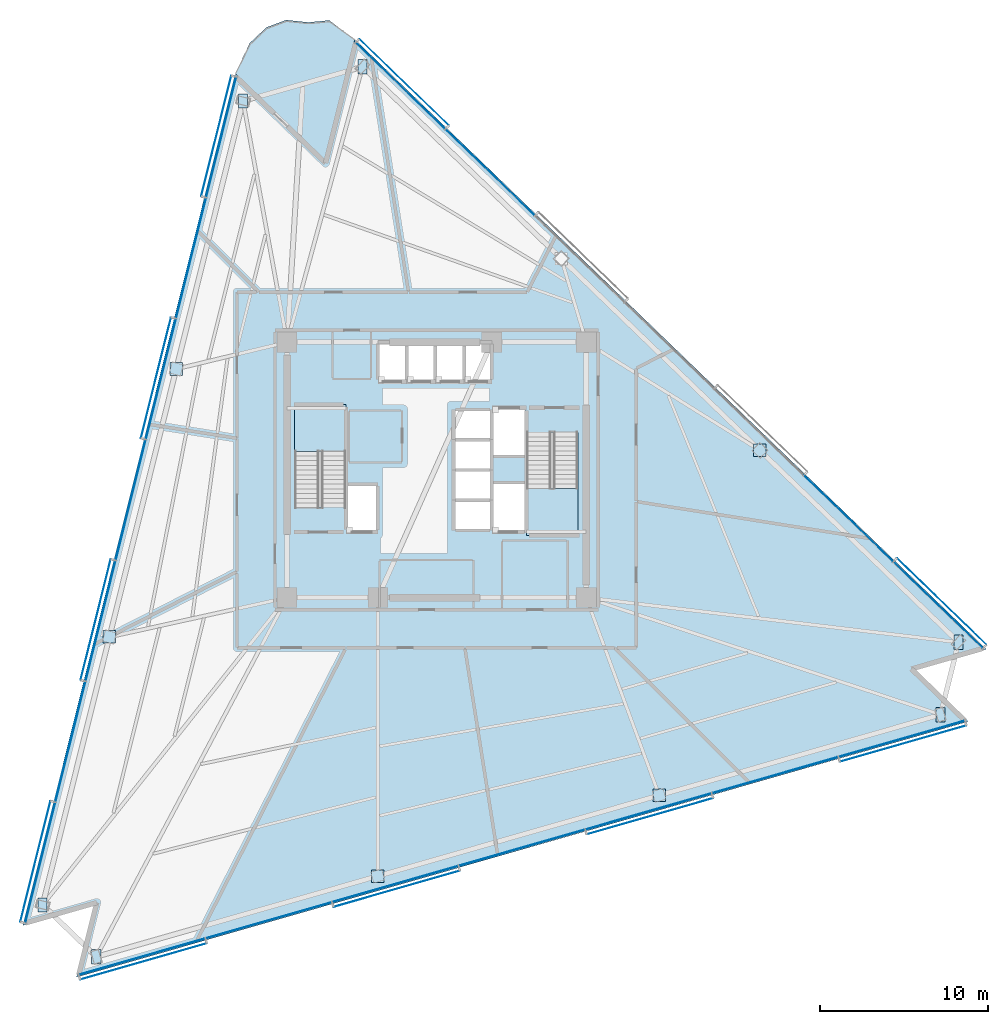
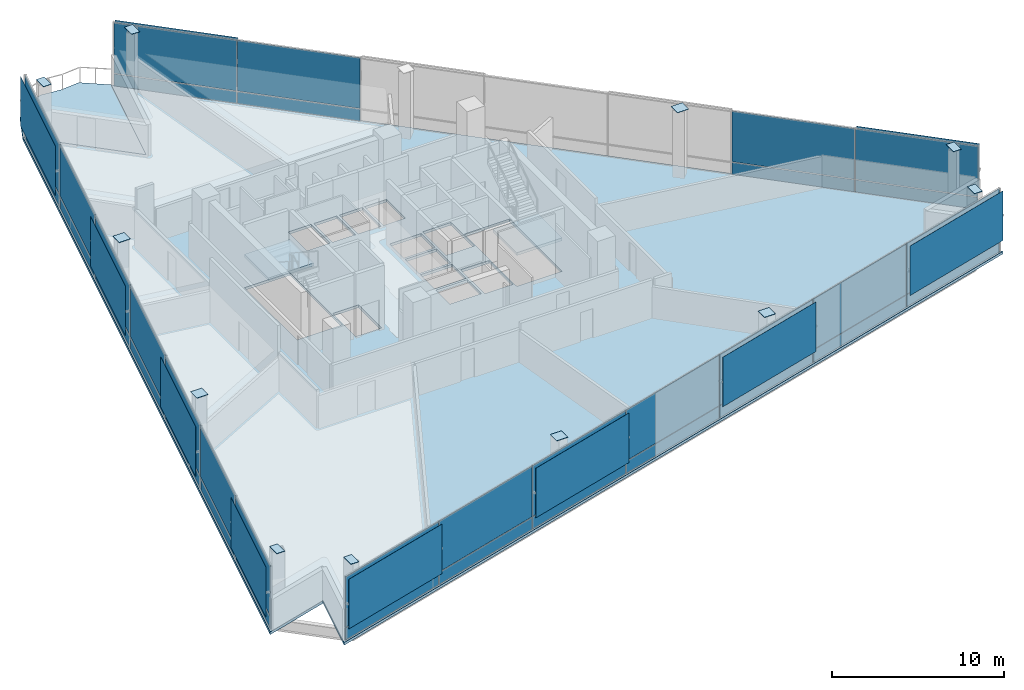
# One storey, part 8 of 18: 57 plates, 4 slabs, 5 elements without a shape of their own.
"""IFC4 building model written with IfcOpenShell, lengths in metres."""

from ifc_helpers import new_model, si_unit, direction, frame, origin, origin_2d, place, context, subcontext, project, spatial, polyline, rectangle, outline, extrude, material, layer, layer_set, type_object, element, aggregate, save


model = new_model("IFC4")

# Units and contexts
model_context = context("Model", 3, precision=1e-05, world=origin(), true_north=direction((0.0, 1.0)))
body_context = subcontext(model_context, "Body", "Model", "MODEL_VIEW")
ifc_project = project(units=[si_unit("LENGTHUNIT", "METRE"), si_unit("AREAUNIT", "SQUARE_METRE"), si_unit("VOLUMEUNIT", "CUBIC_METRE"), si_unit("PLANEANGLEUNIT", "RADIAN"), si_unit("MASSUNIT", "GRAM", prefix="KILO")], contexts=[model_context])

# Site, building, storey
site_placement = place(None, origin())
site = spatial("IfcSite", under=ifc_project, at=site_placement, CompositionType="ELEMENT")
building_placement = place(site_placement, origin())
building = spatial("IfcBuilding", under=site, at=building_placement, Name="Tharavind Bronze Gate", CompositionType="ELEMENT")
storey_placement = place(building_placement, frame((0.0, 0.0, 107.699951171875)))
storey = spatial("IfcBuildingStorey", under=building, at=storey_placement, Name="L27", CompositionType="ELEMENT", Elevation=107.699951171875)

# Plates
ifc_material_1 = material(Name="Perforated Bronze Alloy", Category="bronze")
ifc_layer_1 = layer(ifc_material_1, 0.011962890625)
ifc_layer_set_1 = layer_set([ifc_layer_1], Name="Perforated Bronze Alloy")
plate_type_1 = type_object("IfcPlateType", Name="BRONZE PERFORATED SOLAR SCREEN", PredefinedType="USERDEFINED", material=ifc_layer_set_1)
for number, where, z_axis, x_axis, name in (
    (1, (-13.11669921875, 19.86865234375, 0.96630859375), (0.0, 0.0, 1.0), (-0.2419218956, -0.970295726276, 0.0), "CW-L27-S1 perforated bronze solar screen 1"),
    (2, (-16.7041015625, 5.480712890625, 0.96630859375), (0.0, 0.0, 1.0), (-0.2419218956, -0.970295726276, 0.0), "CW-L27-S1 perforated bronze solar screen 3"),
    (3, (-20.29150390625, -8.9072265625, 0.96630859375), (0.0, 0.0, 1.0), (-0.2419218956, -0.970295726276, 0.0), "CW-L27-S1 perforated bronze solar screen 5"),
    (4, (-23.878662109375, -23.295166015625, 0.96630859375), (0.0, 0.0, 1.0), (-0.2419218956, -0.970295726276, 0.0), "CW-L27-S1 perforated bronze solar screen 7"),
):
    element("IfcPlate", number, at=place(storey_placement, frame(where, z_axis=z_axis, x_axis=x_axis)), inside=storey, type_object=plate_type_1, Name=name, ObjectType="SCREEN", PredefinedType="USERDEFINED", context=body_context, shape_type="SweptSolid", body=[
        extrude(rectangle(XDim=7.394287109375, YDim=0.011962890625, at=origin_2d()), origin(), (0.0, 0.0, 1.0), 3.527099609375),
    ])
for number, where, z_axis, x_axis, name in (
    (5, (-17.447509765625, -29.251220703125, 0.96630859375), (0.0, 0.0, 1.0), (0.961261695938, 0.275637355817, 0.0), "CW-L27-S2 perforated bronze solar screen 1"),
    (6, (-2.380615234375, -24.930908203125, 0.96630859375), (0.0, 0.0, 1.0), (0.961261695938, 0.275637355817, 0.0), "CW-L27-S2 perforated bronze solar screen 3"),
    (7, (12.686279296875, -20.610595703125, 0.96630859375), (0.0, 0.0, 1.0), (0.961261695938, 0.275637355817, 0.0), "CW-L27-S2 perforated bronze solar screen 5"),
    (8, (27.75341796875, -16.290283203125, 0.96630859375), (0.0, 0.0, 1.0), (0.961261695938, 0.275637355817, 0.0), "CW-L27-S2 perforated bronze solar screen 7"),
):
    element("IfcPlate", number, at=place(storey_placement, frame(where, z_axis=z_axis, x_axis=x_axis)), inside=storey, type_object=plate_type_1, Name=name, ObjectType="SCREEN", PredefinedType="USERDEFINED", context=body_context, shape_type="SweptSolid", body=[
        extrude(rectangle(XDim=7.817138671875, YDim=0.011962890625, at=origin_2d()), origin(), (0.0, 0.0, 1.0), 3.527099609375),
    ])
for number, where, z_axis, x_axis, name in (
    (9, (30.05126953125, -7.8310546875, 0.96630859375), (0.0, 0.0, 1.0), (-0.719341012745, 0.694657114973, 0.0), "CW-L27-S3 perforated bronze solar screen 1"),
    (10, (-1.94873046875, 23.07080078125, 0.96630859375), (0.0, 0.0, 1.0), (-0.719341012745, 0.694657114973, 0.0), "CW-L27-S3 perforated bronze solar screen 7"),
):
    element("IfcPlate", number, at=place(storey_placement, frame(where, z_axis=z_axis, x_axis=x_axis)), inside=storey, type_object=plate_type_1, Name=name, ObjectType="SCREEN", PredefinedType="USERDEFINED", context=body_context, shape_type="SweptSolid", body=[
        extrude(rectangle(XDim=7.394287109375, YDim=0.011962890625, at=origin_2d()), origin(), (0.0, 0.0, 1.0), 3.527099609375),
    ])

# Curtain wall, plates
ifc_material_2 = material(Name="Anodised Bronze Aluminium", Category="aluminium")
ifc_layer_2 = layer(ifc_material_2, 0.219970703125)
ifc_layer_set_2 = layer_set([ifc_layer_2], Name="Anodised Bronze Aluminium")
curtain_wall_type = type_object("IfcCurtainWallType", Name="UNITISED CURTAIN WALL LOWER OFFICE", PredefinedType="USERDEFINED", material=ifc_layer_set_2)
curtain_wall_1_placement = place(storey_placement, origin())
curtain_wall_1 = element("IfcCurtainWall", 11, at=curtain_wall_1_placement, inside=storey, type_object=curtain_wall_type, Name="L27 unitised curtain wall lower office CW-L27-S1", ObjectType="UNITISED CURTAIN WALL", PredefinedType="USERDEFINED")
ifc_material_3 = material(Name="Patinated Bronze Alloy Sheet", Category="bronze")
ifc_layer_3 = layer(ifc_material_3, 0.01611328125)
ifc_layer_set_3 = layer_set([ifc_layer_3], Name="Patinated Bronze Alloy Sheet")
plate_type_2 = type_object("IfcPlateType", Name="BRONZE SPANDREL CLADDING PANEL 16", PredefinedType="CURTAIN_PANEL", material=ifc_layer_set_3)
plate_1_placement = place(storey_placement, frame((-12.83056640625, 19.797119140625, 0.0263671875), z_axis=(0.0, 0.0, 1.0), x_axis=(-0.2419218956, -0.970295726276, 0.0)))
plate_1 = element("IfcPlate", 12, at=plate_1_placement, type_object=plate_type_2, Name="CW-L27-S1 bronze spandrel panel 1", PredefinedType="CURTAIN_PANEL", context=body_context, shape_type="SweptSolid", body=[
    extrude(rectangle(XDim=7.361083984375, YDim=0.01611328125, at=origin_2d()), origin(), (0.0, 0.0, 1.0), 0.846923828125),
])
plate_2_placement = place(storey_placement, frame((-14.624267578125, 12.603271484375, 0.0263671875), z_axis=(0.0, 0.0, 1.0), x_axis=(-0.2419218956, -0.970295726276, 0.0)))
plate_2 = element("IfcPlate", 13, at=plate_2_placement, type_object=plate_type_2, Name="CW-L27-S1 bronze spandrel panel 2", PredefinedType="CURTAIN_PANEL", context=body_context, shape_type="SweptSolid", body=[
    extrude(rectangle(XDim=7.361083984375, YDim=0.01611328125, at=origin_2d()), origin(), (0.0, 0.0, 1.0), 0.846923828125),
])
plate_3_placement = place(storey_placement, frame((-16.417724609375, 5.4091796875, 0.0263671875), z_axis=(0.0, 0.0, 1.0), x_axis=(-0.2419218956, -0.970295726276, 0.0)))
plate_3 = element("IfcPlate", 14, at=plate_3_placement, type_object=plate_type_2, Name="CW-L27-S1 bronze spandrel panel 3", PredefinedType="CURTAIN_PANEL", context=body_context, shape_type="SweptSolid", body=[
    extrude(rectangle(XDim=7.361083984375, YDim=0.01611328125, at=origin_2d()), origin(), (0.0, 0.0, 1.0), 0.846923828125),
])
plate_4_placement = place(storey_placement, frame((-18.21142578125, -1.78466796875, 0.0263671875), z_axis=(0.0, 0.0, 1.0), x_axis=(-0.2419218956, -0.970295726276, 0.0)))
plate_4 = element("IfcPlate", 15, at=plate_4_placement, type_object=plate_type_2, Name="CW-L27-S1 bronze spandrel panel 4", PredefinedType="CURTAIN_PANEL", context=body_context, shape_type="SweptSolid", body=[
    extrude(rectangle(XDim=7.361083984375, YDim=0.01611328125, at=origin_2d()), origin(), (0.0, 0.0, 1.0), 0.846923828125),
])
plate_5_placement = place(storey_placement, frame((-20.005126953125, -8.978759765625, 0.0263671875), z_axis=(0.0, 0.0, 1.0), x_axis=(-0.2419218956, -0.970295726276, 0.0)))
plate_5 = element("IfcPlate", 16, at=plate_5_placement, type_object=plate_type_2, Name="CW-L27-S1 bronze spandrel panel 5", PredefinedType="CURTAIN_PANEL", context=body_context, shape_type="SweptSolid", body=[
    extrude(rectangle(XDim=7.361083984375, YDim=0.01611328125, at=origin_2d()), origin(), (0.0, 0.0, 1.0), 0.846923828125),
])
plate_6_placement = place(storey_placement, frame((-21.798828125, -16.172607421875, 0.0263671875), z_axis=(0.0, 0.0, 1.0), x_axis=(-0.2419218956, -0.970295726276, 0.0)))
plate_6 = element("IfcPlate", 17, at=plate_6_placement, type_object=plate_type_2, Name="CW-L27-S1 bronze spandrel panel 6", PredefinedType="CURTAIN_PANEL", context=body_context, shape_type="SweptSolid", body=[
    extrude(rectangle(XDim=7.361083984375, YDim=0.01611328125, at=origin_2d()), origin(), (0.0, 0.0, 1.0), 0.846923828125),
])
plate_7_placement = place(storey_placement, frame((-23.592529296875, -23.36669921875, 0.0263671875), z_axis=(0.0, 0.0, 1.0), x_axis=(-0.2419218956, -0.970295726276, 0.0)))
plate_7 = element("IfcPlate", 18, at=plate_7_placement, type_object=plate_type_2, Name="CW-L27-S1 bronze spandrel panel 7", PredefinedType="CURTAIN_PANEL", context=body_context, shape_type="SweptSolid", body=[
    extrude(rectangle(XDim=7.361083984375, YDim=0.01611328125, at=origin_2d()), origin(), (0.0, 0.0, 1.0), 0.846923828125),
])

curtain_wall_2_placement = place(storey_placement, origin())
curtain_wall_2 = element("IfcCurtainWall", 19, at=curtain_wall_2_placement, inside=storey, type_object=curtain_wall_type, Name="L27 unitised curtain wall lower office CW-L27-S2", ObjectType="UNITISED CURTAIN WALL", PredefinedType="USERDEFINED")
plate_8_placement = place(storey_placement, frame((-17.52880859375, -28.9677734375, 0.0263671875), z_axis=(0.0, 0.0, 1.0), x_axis=(0.961261695938, 0.275637355817, 0.0)))
plate_8 = element("IfcPlate", 20, at=plate_8_placement, type_object=plate_type_2, Name="CW-L27-S2 bronze spandrel panel 1", PredefinedType="CURTAIN_PANEL", context=body_context, shape_type="SweptSolid", body=[
    extrude(rectangle(XDim=7.7841796875, YDim=0.01611328125, at=origin_2d()), origin(), (0.0, 0.0, 1.0), 0.846923828125),
])
plate_9_placement = place(storey_placement, frame((-9.995361328125, -26.8076171875, 0.0263671875), z_axis=(0.0, 0.0, 1.0), x_axis=(0.961261695938, 0.275637355817, 0.0)))
plate_9 = element("IfcPlate", 21, at=plate_9_placement, type_object=plate_type_2, Name="CW-L27-S2 bronze spandrel panel 2", PredefinedType="CURTAIN_PANEL", context=body_context, shape_type="SweptSolid", body=[
    extrude(rectangle(XDim=7.7841796875, YDim=0.01611328125, at=origin_2d()), origin(), (0.0, 0.0, 1.0), 0.846923828125),
])
plate_10_placement = place(storey_placement, frame((-2.4619140625, -24.647216796875, 0.0263671875), z_axis=(0.0, 0.0, 1.0), x_axis=(0.961261695938, 0.275637355817, 0.0)))
plate_10 = element("IfcPlate", 22, at=plate_10_placement, type_object=plate_type_2, Name="CW-L27-S2 bronze spandrel panel 3", PredefinedType="CURTAIN_PANEL", context=body_context, shape_type="SweptSolid", body=[
    extrude(rectangle(XDim=7.7841796875, YDim=0.01611328125, at=origin_2d()), origin(), (0.0, 0.0, 1.0), 0.846923828125),
])
plate_11_placement = place(storey_placement, frame((5.07177734375, -22.487060546875, 0.0263671875), z_axis=(0.0, 0.0, 1.0), x_axis=(0.961261695938, 0.275637355817, 0.0)))
plate_11 = element("IfcPlate", 23, at=plate_11_placement, type_object=plate_type_2, Name="CW-L27-S2 bronze spandrel panel 4", PredefinedType="CURTAIN_PANEL", context=body_context, shape_type="SweptSolid", body=[
    extrude(rectangle(XDim=7.7841796875, YDim=0.01611328125, at=origin_2d()), origin(), (0.0, 0.0, 1.0), 0.846923828125),
])
plate_12_placement = place(storey_placement, frame((12.60498046875, -20.326904296875, 0.0263671875), z_axis=(0.0, 0.0, 1.0), x_axis=(0.961261695938, 0.275637355817, 0.0)))
plate_12 = element("IfcPlate", 24, at=plate_12_placement, type_object=plate_type_2, Name="CW-L27-S2 bronze spandrel panel 5", PredefinedType="CURTAIN_PANEL", context=body_context, shape_type="SweptSolid", body=[
    extrude(rectangle(XDim=7.7841796875, YDim=0.01611328125, at=origin_2d()), origin(), (0.0, 0.0, 1.0), 0.846923828125),
])
plate_13_placement = place(storey_placement, frame((20.138671875, -18.166748046875, 0.0263671875), z_axis=(0.0, 0.0, 1.0), x_axis=(0.961261695938, 0.275637355817, 0.0)))
plate_13 = element("IfcPlate", 25, at=plate_13_placement, type_object=plate_type_2, Name="CW-L27-S2 bronze spandrel panel 6", PredefinedType="CURTAIN_PANEL", context=body_context, shape_type="SweptSolid", body=[
    extrude(rectangle(XDim=7.7841796875, YDim=0.01611328125, at=origin_2d()), origin(), (0.0, 0.0, 1.0), 0.846923828125),
])
plate_14_placement = place(storey_placement, frame((27.672119140625, -16.006591796875, 0.0263671875), z_axis=(0.0, 0.0, 1.0), x_axis=(0.961261695938, 0.275637355817, 0.0)))
plate_14 = element("IfcPlate", 26, at=plate_14_placement, type_object=plate_type_2, Name="CW-L27-S2 bronze spandrel panel 7", PredefinedType="CURTAIN_PANEL", context=body_context, shape_type="SweptSolid", body=[
    extrude(rectangle(XDim=7.7841796875, YDim=0.01611328125, at=origin_2d()), origin(), (0.0, 0.0, 1.0), 0.846923828125),
])

curtain_wall_3_placement = place(storey_placement, origin())
curtain_wall_3 = element("IfcCurtainWall", 27, at=curtain_wall_3_placement, inside=storey, type_object=curtain_wall_type, Name="L27 unitised curtain wall lower office CW-L27-S3", ObjectType="UNITISED CURTAIN WALL", PredefinedType="USERDEFINED")
plate_15_placement = place(storey_placement, frame((29.84619140625, -8.043212890625, 0.0263671875), z_axis=(0.0, 0.0, 1.0), x_axis=(-0.719341012745, 0.694657114973, 0.0)))
plate_15 = element("IfcPlate", 28, at=plate_15_placement, type_object=plate_type_2, Name="CW-L27-S3 bronze spandrel panel 1", PredefinedType="CURTAIN_PANEL", context=body_context, shape_type="SweptSolid", body=[
    extrude(rectangle(XDim=7.361083984375, YDim=0.01611328125, at=origin_2d()), origin(), (0.0, 0.0, 1.0), 0.846923828125),
])
plate_16_placement = place(storey_placement, frame((24.512939453125, -2.892822265625, 0.0263671875), z_axis=(0.0, 0.0, 1.0), x_axis=(-0.719341012745, 0.694657114973, 0.0)))
plate_16 = element("IfcPlate", 29, at=plate_16_placement, type_object=plate_type_2, Name="CW-L27-S3 bronze spandrel panel 2", PredefinedType="CURTAIN_PANEL", context=body_context, shape_type="SweptSolid", body=[
    extrude(rectangle(XDim=7.361083984375, YDim=0.01611328125, at=origin_2d()), origin(), (0.0, 0.0, 1.0), 0.846923828125),
])
plate_17_placement = place(storey_placement, frame((3.1796875, 17.70849609375, 0.0263671875), z_axis=(0.0, 0.0, 1.0), x_axis=(-0.719341012745, 0.694657114973, 0.0)))
plate_17 = element("IfcPlate", 30, at=plate_17_placement, type_object=plate_type_2, Name="CW-L27-S3 bronze spandrel panel 6", PredefinedType="CURTAIN_PANEL", context=body_context, shape_type="SweptSolid", body=[
    extrude(rectangle(XDim=7.361083984375, YDim=0.01611328125, at=origin_2d()), origin(), (0.0, 0.0, 1.0), 0.846923828125),
])
plate_18_placement = place(storey_placement, frame((-2.15380859375, 22.858642578125, 0.0263671875), z_axis=(0.0, 0.0, 1.0), x_axis=(-0.719341012745, 0.694657114973, 0.0)))
plate_18 = element("IfcPlate", 31, at=plate_18_placement, type_object=plate_type_2, Name="CW-L27-S3 bronze spandrel panel 7", PredefinedType="CURTAIN_PANEL", context=body_context, shape_type="SweptSolid", body=[
    extrude(rectangle(XDim=7.361083984375, YDim=0.01611328125, at=origin_2d()), origin(), (0.0, 0.0, 1.0), 0.846923828125),
])

# Plate
ifc_material_4 = material(Name="Low-E Double Glazing", Category="glass")
ifc_layer_4 = layer(ifc_material_4, 0.031982421875)
ifc_layer_set_4 = layer_set([ifc_layer_4], Name="Low-E Double Glazing")
plate_type_3 = type_object("IfcPlateType", Name="DOUBLE GLAZED FACADE PANEL 32", PredefinedType="CURTAIN_PANEL", material=ifc_layer_set_4)
plate_19_placement = place(storey_placement, frame((-12.83056640625, 19.797119140625, 0.926513671875), z_axis=(0.0, 0.0, 1.0), x_axis=(-0.2419218956, -0.970295726276, 0.0)))
plate_19 = element("IfcPlate", 32, at=plate_19_placement, type_object=plate_type_3, Name="CW-L27-S1 vision glazing panel 1", PredefinedType="CURTAIN_PANEL", context=body_context, shape_type="SweptSolid", body=[
    extrude(rectangle(XDim=7.361083984375, YDim=0.031982421875, at=origin_2d()), origin(), (0.0, 0.0, 1.0), 3.60693359375),
])

plate_20_placement = place(storey_placement, frame((-14.624267578125, 12.603271484375, 0.926513671875), z_axis=(0.0, 0.0, 1.0), x_axis=(-0.2419218956, -0.970295726276, 0.0)))
plate_20 = element("IfcPlate", 33, at=plate_20_placement, type_object=plate_type_3, Name="CW-L27-S1 vision glazing panel 2", PredefinedType="CURTAIN_PANEL", context=body_context, shape_type="SweptSolid", body=[
    extrude(rectangle(XDim=7.361083984375, YDim=0.031982421875, at=origin_2d()), origin(), (0.0, 0.0, 1.0), 3.60693359375),
])

plate_21_placement = place(storey_placement, frame((-16.417724609375, 5.4091796875, 0.926513671875), z_axis=(0.0, 0.0, 1.0), x_axis=(-0.2419218956, -0.970295726276, 0.0)))
plate_21 = element("IfcPlate", 34, at=plate_21_placement, type_object=plate_type_3, Name="CW-L27-S1 vision glazing panel 3", PredefinedType="CURTAIN_PANEL", context=body_context, shape_type="SweptSolid", body=[
    extrude(rectangle(XDim=7.361083984375, YDim=0.031982421875, at=origin_2d()), origin(), (0.0, 0.0, 1.0), 3.60693359375),
])

plate_22_placement = place(storey_placement, frame((-18.21142578125, -1.78466796875, 0.926513671875), z_axis=(0.0, 0.0, 1.0), x_axis=(-0.2419218956, -0.970295726276, 0.0)))
plate_22 = element("IfcPlate", 35, at=plate_22_placement, type_object=plate_type_3, Name="CW-L27-S1 vision glazing panel 4", PredefinedType="CURTAIN_PANEL", context=body_context, shape_type="SweptSolid", body=[
    extrude(rectangle(XDim=7.361083984375, YDim=0.031982421875, at=origin_2d()), origin(), (0.0, 0.0, 1.0), 3.60693359375),
])

plate_23_placement = place(storey_placement, frame((-20.005126953125, -8.978759765625, 0.926513671875), z_axis=(0.0, 0.0, 1.0), x_axis=(-0.2419218956, -0.970295726276, 0.0)))
plate_23 = element("IfcPlate", 36, at=plate_23_placement, type_object=plate_type_3, Name="CW-L27-S1 vision glazing panel 5", PredefinedType="CURTAIN_PANEL", context=body_context, shape_type="SweptSolid", body=[
    extrude(rectangle(XDim=7.361083984375, YDim=0.031982421875, at=origin_2d()), origin(), (0.0, 0.0, 1.0), 3.60693359375),
])

plate_24_placement = place(storey_placement, frame((-21.798828125, -16.172607421875, 0.926513671875), z_axis=(0.0, 0.0, 1.0), x_axis=(-0.2419218956, -0.970295726276, 0.0)))
plate_24 = element("IfcPlate", 37, at=plate_24_placement, type_object=plate_type_3, Name="CW-L27-S1 vision glazing panel 6", PredefinedType="CURTAIN_PANEL", context=body_context, shape_type="SweptSolid", body=[
    extrude(rectangle(XDim=7.361083984375, YDim=0.031982421875, at=origin_2d()), origin(), (0.0, 0.0, 1.0), 3.60693359375),
])

plate_25_placement = place(storey_placement, frame((-23.592529296875, -23.36669921875, 0.926513671875), z_axis=(0.0, 0.0, 1.0), x_axis=(-0.2419218956, -0.970295726276, 0.0)))
plate_25 = element("IfcPlate", 38, at=plate_25_placement, type_object=plate_type_3, Name="CW-L27-S1 vision glazing panel 7", PredefinedType="CURTAIN_PANEL", context=body_context, shape_type="SweptSolid", body=[
    extrude(rectangle(XDim=7.361083984375, YDim=0.031982421875, at=origin_2d()), origin(), (0.0, 0.0, 1.0), 3.60693359375),
])

aggregate(curtain_wall_1, [plate_1, plate_19, plate_2, plate_20, plate_3, plate_21, plate_4, plate_22, plate_5, plate_23, plate_6, plate_24, plate_7, plate_25])

plate_26_placement = place(storey_placement, frame((-17.52880859375, -28.9677734375, 0.926513671875), z_axis=(0.0, 0.0, 1.0), x_axis=(0.961261695938, 0.275637355817, 0.0)))
plate_26 = element("IfcPlate", 39, at=plate_26_placement, type_object=plate_type_3, Name="CW-L27-S2 vision glazing panel 1", PredefinedType="CURTAIN_PANEL", context=body_context, shape_type="SweptSolid", body=[
    extrude(rectangle(XDim=7.7841796875, YDim=0.031982421875, at=origin_2d()), origin(), (0.0, 0.0, 1.0), 3.60693359375),
])

plate_27_placement = place(storey_placement, frame((-9.995361328125, -26.8076171875, 0.926513671875), z_axis=(0.0, 0.0, 1.0), x_axis=(0.961261695938, 0.275637355817, 0.0)))
plate_27 = element("IfcPlate", 40, at=plate_27_placement, type_object=plate_type_3, Name="CW-L27-S2 vision glazing panel 2", PredefinedType="CURTAIN_PANEL", context=body_context, shape_type="SweptSolid", body=[
    extrude(rectangle(XDim=7.7841796875, YDim=0.031982421875, at=origin_2d()), origin(), (0.0, 0.0, 1.0), 3.60693359375),
])

plate_28_placement = place(storey_placement, frame((-2.4619140625, -24.647216796875, 0.926513671875), z_axis=(0.0, 0.0, 1.0), x_axis=(0.961261695938, 0.275637355817, 0.0)))
plate_28 = element("IfcPlate", 41, at=plate_28_placement, type_object=plate_type_3, Name="CW-L27-S2 vision glazing panel 3", PredefinedType="CURTAIN_PANEL", context=body_context, shape_type="SweptSolid", body=[
    extrude(rectangle(XDim=7.7841796875, YDim=0.031982421875, at=origin_2d()), origin(), (0.0, 0.0, 1.0), 3.60693359375),
])

plate_29_placement = place(storey_placement, frame((5.07177734375, -22.487060546875, 0.926513671875), z_axis=(0.0, 0.0, 1.0), x_axis=(0.961261695938, 0.275637355817, 0.0)))
plate_29 = element("IfcPlate", 42, at=plate_29_placement, type_object=plate_type_3, Name="CW-L27-S2 vision glazing panel 4", PredefinedType="CURTAIN_PANEL", context=body_context, shape_type="SweptSolid", body=[
    extrude(rectangle(XDim=7.7841796875, YDim=0.031982421875, at=origin_2d()), origin(), (0.0, 0.0, 1.0), 3.60693359375),
])

plate_30_placement = place(storey_placement, frame((12.60498046875, -20.326904296875, 0.926513671875), z_axis=(0.0, 0.0, 1.0), x_axis=(0.961261695938, 0.275637355817, 0.0)))
plate_30 = element("IfcPlate", 43, at=plate_30_placement, type_object=plate_type_3, Name="CW-L27-S2 vision glazing panel 5", PredefinedType="CURTAIN_PANEL", context=body_context, shape_type="SweptSolid", body=[
    extrude(rectangle(XDim=7.7841796875, YDim=0.031982421875, at=origin_2d()), origin(), (0.0, 0.0, 1.0), 3.60693359375),
])

plate_31_placement = place(storey_placement, frame((20.138671875, -18.166748046875, 0.926513671875), z_axis=(0.0, 0.0, 1.0), x_axis=(0.961261695938, 0.275637355817, 0.0)))
plate_31 = element("IfcPlate", 44, at=plate_31_placement, type_object=plate_type_3, Name="CW-L27-S2 vision glazing panel 6", PredefinedType="CURTAIN_PANEL", context=body_context, shape_type="SweptSolid", body=[
    extrude(rectangle(XDim=7.7841796875, YDim=0.031982421875, at=origin_2d()), origin(), (0.0, 0.0, 1.0), 3.60693359375),
])

plate_32_placement = place(storey_placement, frame((27.672119140625, -16.006591796875, 0.926513671875), z_axis=(0.0, 0.0, 1.0), x_axis=(0.961261695938, 0.275637355817, 0.0)))
plate_32 = element("IfcPlate", 45, at=plate_32_placement, type_object=plate_type_3, Name="CW-L27-S2 vision glazing panel 7", PredefinedType="CURTAIN_PANEL", context=body_context, shape_type="SweptSolid", body=[
    extrude(rectangle(XDim=7.7841796875, YDim=0.031982421875, at=origin_2d()), origin(), (0.0, 0.0, 1.0), 3.60693359375),
])

aggregate(curtain_wall_2, [plate_8, plate_26, plate_9, plate_27, plate_10, plate_28, plate_11, plate_29, plate_12, plate_30, plate_13, plate_31, plate_14, plate_32])

plate_33_placement = place(storey_placement, frame((29.84619140625, -8.043212890625, 0.926513671875), z_axis=(0.0, 0.0, 1.0), x_axis=(-0.719341012745, 0.694657114973, 0.0)))
plate_33 = element("IfcPlate", 46, at=plate_33_placement, type_object=plate_type_3, Name="CW-L27-S3 vision glazing panel 1", PredefinedType="CURTAIN_PANEL", context=body_context, shape_type="SweptSolid", body=[
    extrude(rectangle(XDim=7.361083984375, YDim=0.031982421875, at=origin_2d()), origin(), (0.0, 0.0, 1.0), 3.60693359375),
])

plate_34_placement = place(storey_placement, frame((24.512939453125, -2.892822265625, 0.926513671875), z_axis=(0.0, 0.0, 1.0), x_axis=(-0.719341012745, 0.694657114973, 0.0)))
plate_34 = element("IfcPlate", 47, at=plate_34_placement, type_object=plate_type_3, Name="CW-L27-S3 vision glazing panel 2", PredefinedType="CURTAIN_PANEL", context=body_context, shape_type="SweptSolid", body=[
    extrude(rectangle(XDim=7.361083984375, YDim=0.031982421875, at=origin_2d()), origin(), (0.0, 0.0, 1.0), 3.60693359375),
])

plate_35_placement = place(storey_placement, frame((3.1796875, 17.70849609375, 0.926513671875), z_axis=(0.0, 0.0, 1.0), x_axis=(-0.719341012745, 0.694657114973, 0.0)))
plate_35 = element("IfcPlate", 48, at=plate_35_placement, type_object=plate_type_3, Name="CW-L27-S3 vision glazing panel 6", PredefinedType="CURTAIN_PANEL", context=body_context, shape_type="SweptSolid", body=[
    extrude(rectangle(XDim=7.361083984375, YDim=0.031982421875, at=origin_2d()), origin(), (0.0, 0.0, 1.0), 3.60693359375),
])

plate_36_placement = place(storey_placement, frame((-2.15380859375, 22.858642578125, 0.926513671875), z_axis=(0.0, 0.0, 1.0), x_axis=(-0.719341012745, 0.694657114973, 0.0)))
plate_36 = element("IfcPlate", 49, at=plate_36_placement, type_object=plate_type_3, Name="CW-L27-S3 vision glazing panel 7", PredefinedType="CURTAIN_PANEL", context=body_context, shape_type="SweptSolid", body=[
    extrude(rectangle(XDim=7.361083984375, YDim=0.031982421875, at=origin_2d()), origin(), (0.0, 0.0, 1.0), 3.60693359375),
])

aggregate(curtain_wall_3, [plate_15, plate_33, plate_16, plate_34, plate_17, plate_35, plate_18, plate_36])

# Slab
ifc_material_5 = material(Name="Concrete C40/50", Category="concrete")
ifc_layer_5 = layer(ifc_material_5, 0.179931640625)
ifc_layer_set_5 = layer_set([ifc_layer_5], Name="Concrete C40/50")
slab_type_1 = type_object("IfcSlabType", Name="EXTERIOR BALCONY SLAB 180", PredefinedType="FLOOR", material=ifc_layer_set_5)
slab_1_placement = place(storey_placement, frame((0.0, 0.0, -0.179931640625)))
element("IfcSlab", 50, at=slab_1_placement, inside=storey, type_object=slab_type_1, Name="L27 northeast tree balcony slab", PredefinedType="FLOOR", context=body_context, shape_type="SweptSolid", body=[
    extrude(outline(polyline([(-6.388427734375, 26.752685546875), (-7.6376953125, 26.63525390625), (-8.960693359375, 26.7744140625), (-10.118896484375, 26.33935546875), (-11.130615234375, 25.39306640625), (-11.98876953125, 23.58642578125), (-6.665771484375, 18.446044921875), (-4.87548828125, 25.626220703125), (-6.388427734375, 26.752685546875)])), origin(), (0.0, 0.0, 1.0), 0.179931640625),
])

# Stair, slab
stair_type = type_object("IfcStairType", Name="CORE HALF TURN STAIR 1450", PredefinedType="HALF_TURN_STAIR", material=ifc_material_5)
stair_1_placement = place(storey_placement, origin())
stair_1 = element("IfcStair", 51, at=stair_1_placement, inside=storey, type_object=stair_type, Name="L27 Protected Exit Stair ST1", PredefinedType="HALF_TURN_STAIR")
ifc_layer_6 = layer(ifc_material_5, 0.199951171875)
ifc_layer_set_6 = layer_set([ifc_layer_6], Name="Concrete C40/50")
slab_type_2 = type_object("IfcSlabType", Name="STAIR LANDING SLAB 200", PredefinedType="LANDING", material=ifc_layer_set_6)
slab_2_placement = place(storey_placement, frame((0.0, 0.0, 2.175048828125)))
slab_2 = element("IfcSlab", 52, at=slab_2_placement, type_object=slab_type_2, Name="ST1 landing 1", PredefinedType="LANDING", context=body_context, shape_type="SweptSolid", body=[
    extrude(outline(polyline([(-5.39990234375, 1.110107421875), (-5.39990234375, 3.89990234375), (-8.449951171875, 3.89990234375), (-8.449951171875, 1.110107421875), (-5.39990234375, 1.110107421875)])), origin(), (0.0, 0.0, 1.0), 0.199951171875),
])
aggregate(stair_1, [slab_2])

stair_2_placement = place(storey_placement, origin())
stair_2 = element("IfcStair", 53, at=stair_2_placement, inside=storey, type_object=stair_type, Name="L27 Protected Exit Stair ST2", PredefinedType="HALF_TURN_STAIR")
slab_3_placement = place(storey_placement, frame((0.0, 0.0, 2.175048828125)))
slab_3 = element("IfcSlab", 54, at=slab_3_placement, type_object=slab_type_2, Name="ST2 landing 1", PredefinedType="LANDING", context=body_context, shape_type="SweptSolid", body=[
    extrude(outline(polyline([(5.35009765625, -1.110107421875), (5.35009765625, -3.89990234375), (8.39990234375, -3.89990234375), (8.39990234375, -1.110107421875), (5.35009765625, -1.110107421875)])), origin(), (0.0, 0.0, 1.0), 0.199951171875),
])
aggregate(stair_2, [slab_3])

# Plates
ifc_material_6 = material(Name="Steel S460", Category="steel")
ifc_layer_7 = layer(ifc_material_6, 0.02490234375)
ifc_layer_set_7 = layer_set([ifc_layer_7], Name="Steel S460")
plate_type_4 = type_object("IfcPlateType", Name="STEEL END CAP SHEET 25", PredefinedType="SHEET", material=ifc_layer_set_7)
plate_37_placement = place(storey_placement, frame((-11.520263671875, 21.952392578125, 4.737548828125), z_axis=(0.0, 0.0, 1.0), x_axis=(1.0, 0.0, 0.0)))
element("IfcPlate", 55, at=plate_37_placement, inside=storey, type_object=plate_type_4, Name="Steel end cap plate CAP-COLT-L27-S1C1", PredefinedType="SHEET", context=body_context, shape_type="SweptSolid", body=[
    extrude(rectangle(XDim=0.544921875, YDim=0.844970703125, at=origin_2d()), origin(), (0.0, 0.0, 1.0), 0.02490234375),
])
for number, where, z_axis, x_axis, name in (
    (56, (-15.495849609375, 6.006591796875, 4.737548828125), (0.0, 0.0, 1.0), (1.0, 0.0, 0.0), "Steel end cap plate CAP-COLT-L27-S1C2"),
    (57, (-19.4716796875, -9.93896484375, 4.737548828125), (0.0, 0.0, 1.0), (1.0, 0.0, 0.0), "Steel end cap plate CAP-COLT-L27-S1C3"),
):
    element("IfcPlate", number, at=place(storey_placement, frame(where, z_axis=z_axis, x_axis=x_axis)), inside=storey, type_object=plate_type_4, Name=name, PredefinedType="SHEET", context=body_context, shape_type="SweptSolid", body=[
        extrude(rectangle(XDim=0.7451171875, YDim=0.7451171875, at=origin_2d()), origin(), (0.0, 0.0, 1.0), 0.02490234375),
    ])
for number, where, z_axis, x_axis, name in (
    (58, (-23.447265625, -25.884521484375, 4.737548828125), (0.0, 0.0, 1.0), (1.0, 0.0, 0.0), "Steel end cap plate CAP-COLT-L27-S1C4"),
    (59, (-20.25341796875, -28.96875, 4.737548828125), (0.0, 0.0, 1.0), (1.0, 0.0, 0.0), "Steel end cap plate CAP-COLT-L27-S2C1"),
):
    element("IfcPlate", number, at=place(storey_placement, frame(where, z_axis=z_axis, x_axis=x_axis)), inside=storey, type_object=plate_type_4, Name=name, PredefinedType="SHEET", context=body_context, shape_type="SweptSolid", body=[
        extrude(rectangle(XDim=0.544921875, YDim=0.844970703125, at=origin_2d()), origin(), (0.0, 0.0, 1.0), 0.02490234375),
    ])
for number, where, z_axis, x_axis, name in (
    (60, (-3.5078125, -24.1669921875, 4.737548828125), (0.0, 0.0, 1.0), (1.0, 0.0, 0.0), "Steel end cap plate CAP-COLT-L27-S2C2"),
    (61, (13.23779296875, -19.365234375, 4.737548828125), (0.0, 0.0, 1.0), (1.0, 0.0, 0.0), "Steel end cap plate CAP-COLT-L27-S2C3"),
):
    element("IfcPlate", number, at=place(storey_placement, frame(where, z_axis=z_axis, x_axis=x_axis)), inside=storey, type_object=plate_type_4, Name=name, PredefinedType="SHEET", context=body_context, shape_type="SweptSolid", body=[
        extrude(rectangle(XDim=0.7451171875, YDim=0.7451171875, at=origin_2d()), origin(), (0.0, 0.0, 1.0), 0.02490234375),
    ])
for number, where, z_axis, x_axis, name in (
    (62, (29.9833984375, -14.563720703125, 4.737548828125), (0.0, 0.0, 1.0), (1.0, 0.0, 0.0), "Steel end cap plate CAP-COLT-L27-S2C4"),
    (63, (31.0576171875, -10.255615234375, 4.737548828125), (0.0, 0.0, 1.0), (1.0, 0.0, 0.0), "Steel end cap plate CAP-COLT-L27-S3C1"),
):
    element("IfcPlate", number, at=place(storey_placement, frame(where, z_axis=z_axis, x_axis=x_axis)), inside=storey, type_object=plate_type_4, Name=name, PredefinedType="SHEET", context=body_context, shape_type="SweptSolid", body=[
        extrude(rectangle(XDim=0.544921875, YDim=0.844970703125, at=origin_2d()), origin(), (0.0, 0.0, 1.0), 0.02490234375),
    ])
plate_38_placement = place(storey_placement, frame((19.236083984375, 1.160400390625, 4.737548828125), z_axis=(0.0, 0.0, 1.0), x_axis=(1.0, 0.0, 0.0)))
element("IfcPlate", 64, at=plate_38_placement, inside=storey, type_object=plate_type_4, Name="Steel end cap plate CAP-COLT-L27-S3C2", PredefinedType="SHEET", context=body_context, shape_type="SweptSolid", body=[
    extrude(rectangle(XDim=0.7451171875, YDim=0.7451171875, at=origin_2d()), origin(), (0.0, 0.0, 1.0), 0.02490234375),
])
plate_39_placement = place(storey_placement, frame((-4.406982421875, 23.9921875, 4.737548828125), z_axis=(0.0, 0.0, 1.0), x_axis=(1.0, 0.0, 0.0)))
element("IfcPlate", 65, at=plate_39_placement, inside=storey, type_object=plate_type_4, Name="Steel end cap plate CAP-COLT-L27-S3C4", PredefinedType="SHEET", context=body_context, shape_type="SweptSolid", body=[
    extrude(rectangle(XDim=0.544921875, YDim=0.844970703125, at=origin_2d()), origin(), (0.0, 0.0, 1.0), 0.02490234375),
])

# Slab
ifc_layer_8 = layer(ifc_material_5, 0.18994140625)
ifc_layer_set_8 = layer_set([ifc_layer_8], Name="Concrete C40/50")
slab_type_3 = type_object("IfcSlabType", Name="STRUCTURAL FLOOR SLAB 190", PredefinedType="FLOOR", material=ifc_layer_set_8)
slab_4_placement = place(storey_placement, frame((0.0, 0.0, -0.18994140625)))
element("IfcSlab", 66, at=slab_4_placement, inside=storey, type_object=slab_type_3, Name="L27 main structural floor slab", PredefinedType="FLOOR", context=body_context, shape_type="SweptSolid", body=[
    extrude(outline(polyline([(-4.87548828125, 25.626220703125), (-6.665771484375, 18.446044921875), (-11.98876953125, 23.58642578125), (-24.628173828125, -27.107421875), (-20.360107421875, -25.883544921875), (-21.434326171875, -30.191650390625), (31.6328125, -14.974853515625), (28.439208984375, -11.890625), (32.70703125, -10.666748046875), (-4.87548828125, 25.626220703125)]), holes=[polyline([(-5.39990234375, -2.215087890625), (-5.39990234375, 3.89990234375), (-8.449951171875, 3.89990234375), (-8.449951171875, -2.215087890625), (-5.39990234375, -2.215087890625)]), polyline([(5.35009765625, 2.215087890625), (5.35009765625, -3.89990234375), (8.39990234375, -3.89990234375), (8.39990234375, 2.215087890625), (5.35009765625, 2.215087890625)]), polyline([(-3.419921875, 5.330078125), (-1.867431640625, 5.330078125), (-1.867431640625, 7.52001953125), (-3.419921875, 7.52001953125), (-3.419921875, 5.330078125)]), polyline([(-1.70751953125, 5.330078125), (-0.155029296875, 5.330078125), (-0.155029296875, 7.52001953125), (-1.70751953125, 7.52001953125), (-1.70751953125, 5.330078125)]), polyline([(0.0048828125, 5.330078125), (1.5576171875, 5.330078125), (1.5576171875, 7.52001953125), (0.0048828125, 7.52001953125), (0.0048828125, 5.330078125)]), polyline([(1.717529296875, 5.330078125), (3.199951171875, 5.330078125), (3.199951171875, 7.52001953125), (1.717529296875, 7.52001953125), (1.717529296875, 5.330078125)]), polyline([(1.080078125, -3.52001953125), (3.199951171875, -3.52001953125), (3.199951171875, -1.8798828125), (1.080078125, -1.8798828125), (1.080078125, -3.52001953125)]), polyline([(1.080078125, -1.719970703125), (3.199951171875, -1.719970703125), (3.199951171875, -0.080078125), (1.080078125, -0.080078125), (1.080078125, -1.719970703125)]), polyline([(1.080078125, 0.080078125), (3.199951171875, 0.080078125), (3.199951171875, 1.719970703125), (1.080078125, 1.719970703125), (1.080078125, 0.080078125)]), polyline([(1.080078125, 1.8798828125), (3.199951171875, 1.8798828125), (3.199951171875, 3.52001953125), (1.080078125, 3.52001953125), (1.080078125, 1.8798828125)]), polyline([(-5.320068359375, -3.6201171875), (-3.580078125, -3.6201171875), (-3.580078125, -0.929931640625), (-5.320068359375, -0.929931640625), (-5.320068359375, -3.6201171875)]), polyline([(3.360107421875, 0.8798828125), (5.27001953125, 0.8798828125), (5.27001953125, 3.6201171875), (3.360107421875, 3.6201171875), (3.360107421875, 0.8798828125)]), polyline([(3.360107421875, -3.6201171875), (5.27001953125, -3.6201171875), (5.27001953125, -0.830078125), (3.360107421875, -0.830078125), (3.360107421875, -3.6201171875)])]), origin(), (0.0, 0.0, 1.0), 0.18994140625),
])

save(model, "model.ifc")
